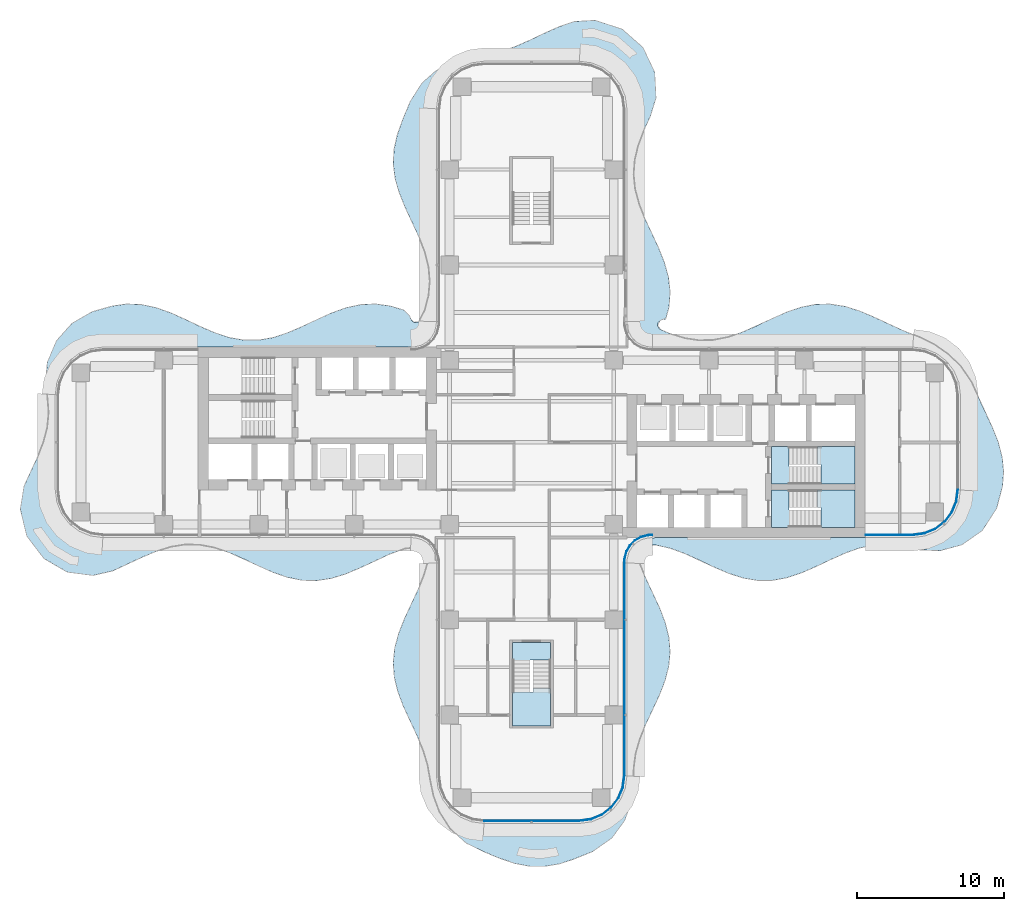
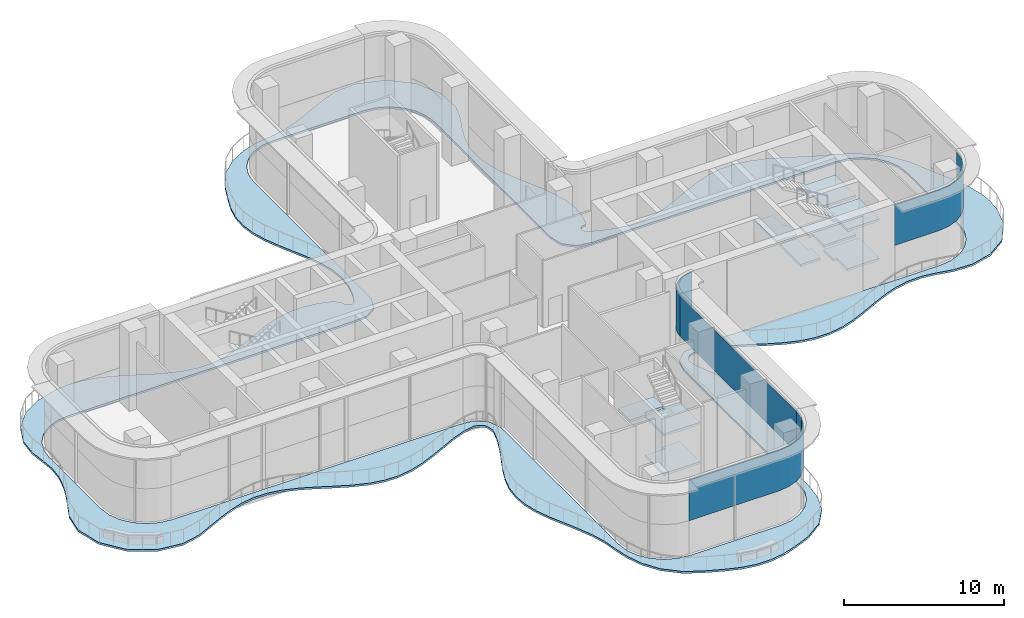
# One storey, part 9 of 19: 10 slabs, 4 plates, 7 elements without a shape of their own.
"""IFC4 building model written with IfcOpenShell, lengths in metres."""

from ifc_helpers import new_model, si_unit, direction, frame, origin, place, context, subcontext, project, spatial, polyline, outline, extrude, source, transform, mapped, material, layer, layer_set, type_object, element, aggregate, save


model = new_model("IFC4")

# Units and contexts
model_context = context("Model", 3, precision=1e-05, world=origin(), true_north=direction((0.0, 1.0)))
body_context = subcontext(model_context, "Body", "Model", "MODEL_VIEW")
ifc_project = project(units=[si_unit("LENGTHUNIT", "METRE"), si_unit("AREAUNIT", "SQUARE_METRE"), si_unit("VOLUMEUNIT", "CUBIC_METRE"), si_unit("PLANEANGLEUNIT", "RADIAN"), si_unit("MASSUNIT", "GRAM", prefix="KILO")], contexts=[model_context])

# Site, building, storey
site_placement = place(None, origin())
site = spatial("IfcSite", under=ifc_project, at=site_placement, CompositionType="ELEMENT")
building_placement = place(site_placement, origin())
building = spatial("IfcBuilding", under=site, at=building_placement, Name="Trellis Farm Tower", CompositionType="ELEMENT")
storey_placement = place(building_placement, frame((0.0, 0.0, 156.0)))
storey = spatial("IfcBuildingStorey", under=building, at=storey_placement, Name="L33", CompositionType="ELEMENT", Elevation=156.0)

# Slab
ifc_material_1 = material(Name="Concrete C40/50", Category="concrete")
ifc_layer_1 = layer(ifc_material_1, 0.14990234375)
ifc_layer_set_1 = layer_set([ifc_layer_1], Name="Balcony slab 150")
slab_type_1 = type_object("IfcSlabType", Name="Balcony slab 150", PredefinedType="FLOOR", material=ifc_layer_set_1)
slab_1_placement = place(storey_placement, frame((0.0, 0.0, -0.14990234375)))
element("IfcSlab", 1, at=slab_1_placement, inside=storey, type_object=slab_type_1, Name="Balcony slab", PredefinedType="FLOOR", context=body_context, shape_type="SweptSolid", body=[
    extrude(outline(polyline([(-22.674560546875, -6.981689453125), (-23.65869140625, -6.9697265625), (-23.67138671875, -6.970703125), (-24.6005859375, -7.120361328125), (-24.611083984375, -7.122802734375), (-25.64013671875, -7.44580078125), (-25.647216796875, -7.4482421875), (-26.63037109375, -7.8671875), (-26.632568359375, -7.8681640625), (-28.587646484375, -8.77587890625), (-28.617919921875, -8.7861328125), (-29.91650390625, -9.078125), (-29.94287109375, -9.081787109375), (-29.976806640625, -9.0830078125), (-30.0029296875, -9.08203125), (-31.622314453125, -8.867431640625), (-31.65087890625, -8.860595703125), (-31.687255859375, -8.848388671875), (-31.71435546875, -8.8359375), (-33.2646484375, -7.93310546875), (-33.2890625, -7.91552734375), (-33.318115234375, -7.8896484375), (-33.33837890625, -7.867431640625), (-34.43505859375, -6.39990234375), (-34.450927734375, -6.373291015625), (-34.468017578125, -6.3369140625), (-34.47802734375, -6.307373046875), (-34.87939453125, -4.567138671875), (-34.883056640625, -4.5380859375), (-34.88427734375, -4.50048828125), (-34.882080078125, -4.470703125), (-34.63330078125, -3.0078125), (-34.62158203125, -2.97021484375), (-33.7060546875, -0.989013671875), (-33.704345703125, -0.985107421875), (-33.3251953125, -0.022705078125), (-33.322509765625, -0.0146484375), (-33.059326171875, 0.9638671875), (-33.05712890625, 0.975830078125), (-32.95361328125, 2.0185546875), (-32.953369140625, 2.03173828125), (-33.029296875, 2.987548828125), (-33.029541015625, 2.989990234375), (-33.16064453125, 4.148681640625), (-33.160888671875, 4.1796875), (-33.040283203125, 5.450927734375), (-33.029296875, 5.4951171875), (-32.4384765625, 6.892578125), (-32.412109375, 6.93408203125), (-31.356201171875, 8.11767578125), (-31.318603515625, 8.148193359375), (-29.9736328125, 8.913818359375), (-29.940185546875, 8.927978515625), (-28.6396484375, 9.2958984375), (-28.619873046875, 9.30029296875), (-27.65087890625, 9.438232421875), (-27.623779296875, 9.439697265625), (-26.623291015625, 9.401611328125), (-26.59765625, 9.3984375), (-25.626953125, 9.19091796875), (-25.60791015625, 9.185302734375), (-24.630615234375, 8.83740234375), (-24.61962890625, 8.8330078125), (-23.63427734375, 8.391845703125), (-23.631103515625, 8.390380859375), (-22.63330078125, 7.916259765625), (-22.631103515625, 7.9150390625), (-21.62890625, 7.481201171875), (-21.62255859375, 7.478759765625), (-20.62451171875, 7.151611328125), (-20.6142578125, 7.14892578125), (-19.622802734375, 6.9755859375), (-19.609619140625, 6.974365234375), (-18.626220703125, 6.976318359375), (-18.61328125, 6.977294921875), (-17.634521484375, 7.1513671875), (-17.62451171875, 7.15380859375), (-16.644775390625, 7.47509765625), (-16.638427734375, 7.4775390625), (-15.66650390625, 7.897216796875), (-15.6640625, 7.898193359375), (-14.66259765625, 8.373779296875), (-14.65966796875, 8.375), (-13.664794921875, 8.822265625), (-13.654052734375, 8.82666015625), (-12.6669921875, 9.180419921875), (-12.648193359375, 9.185791015625), (-11.669921875, 9.397216796875), (-11.64453125, 9.400390625), (-10.673095703125, 9.441650390625), (-10.646484375, 9.4404296875), (-9.6767578125, 9.30810546875), (-9.65478515625, 9.303466796875), (-8.7470703125, 9.035888671875), (-8.7099609375, 9.019287109375), (-8.66650390625, 8.9921875), (-8.635498046875, 8.96630859375), (-8.33935546875, 8.642578125), (-8.3203125, 8.616455078125), (-8.29931640625, 8.580322265625), (-8.2861328125, 8.550537109375), (-8.245361328125, 8.421875), (-8.23779296875, 8.405517578125), (-8.165283203125, 8.286376953125), (-8.14013671875, 8.26171875), (-8.0283203125, 8.1943359375), (-7.994873046875, 8.183837890625), (-7.864501953125, 8.17578125), (-7.829833984375, 8.18212890625), (-7.710693359375, 8.2353515625), (-7.682861328125, 8.257080078125), (-7.59619140625, 8.366455078125), (-7.5869140625, 8.3818359375), (-7.306396484375, 8.995361328125), (-7.302001953125, 9.007568359375), (-7.045166015625, 9.9931640625), (-7.043212890625, 10.005126953125), (-6.953369140625, 10.9853515625), (-6.953369140625, 10.998779296875), (-7.040283203125, 11.986083984375), (-7.042236328125, 11.998046875), (-7.297119140625, 12.9931640625), (-7.2998046875, 13.001708984375), (-7.687255859375, 14.001708984375), (-7.689208984375, 14.00634765625), (-8.619384765625, 16.00048828125), (-8.622314453125, 16.007080078125), (-9.030029296875, 17.00634765625), (-9.035400390625, 17.021484375), (-9.311767578125, 17.9775390625), (-9.31640625, 18.0), (-9.442138671875, 18.969482421875), (-9.443359375, 18.996337890625), (-9.395263671875, 19.968017578125), (-9.391845703125, 19.992919921875), (-9.174560546875, 20.9716796875), (-9.1689453125, 20.990478515625), (-8.80615234375, 21.9892578125), (-8.803955078125, 21.994873046875), (-8.30908203125, 23.200927734375), (-8.29736328125, 23.223876953125), (-7.51171875, 24.473876953125), (-7.484130859375, 24.50634765625), (-6.52587890625, 25.354248046875), (-6.497802734375, 25.373779296875), (-5.392578125, 25.972412109375), (-5.365234375, 25.98388671875), (-4.230712890625, 26.331298828125), (-4.206787109375, 26.33642578125), (-3.13134765625, 26.479248046875), (-3.12744140625, 26.479736328125), (-2.10498046875, 26.67138671875), (-2.0947265625, 26.67431640625), (-1.115478515625, 27.0048828125), (-1.109619140625, 27.00732421875), (-0.1357421875, 27.43310546875), (-0.1337890625, 27.43408203125), (0.863525390625, 27.908203125), (0.866943359375, 27.909912109375), (1.8515625, 28.348388671875), (1.86376953125, 28.35302734375), (2.86572265625, 28.698486328125), (2.9052734375, 28.706298828125), (4.259765625, 28.791259765625), (4.28759765625, 28.790283203125), (4.3232421875, 28.785888671875), (4.3505859375, 28.77978515625), (6.1064453125, 28.21923828125), (6.134765625, 28.20703125), (6.16943359375, 28.1875), (6.194580078125, 28.16943359375), (7.566650390625, 26.96337890625), (7.587646484375, 26.940673828125), (7.611328125, 26.908935546875), (7.627197265625, 26.882568359375), (8.380126953125, 25.276611328125), (8.389892578125, 25.2490234375), (8.39892578125, 25.212646484375), (8.4033203125, 25.183837890625), (8.48583984375, 23.55517578125), (8.485107421875, 23.52880859375), (8.480712890625, 23.4951171875), (8.475341796875, 23.469482421875), (8.10546875, 22.268798828125), (8.098388671875, 22.25048828125), (7.63916015625, 21.24267578125), (7.63720703125, 21.238037109375), (7.26220703125, 20.238037109375), (7.259521484375, 20.2294921875), (7.031982421875, 19.2919921875), (7.030029296875, 19.280029296875), (6.95361328125, 18.29931640625), (6.953857421875, 18.285888671875), (7.05419921875, 17.2978515625), (7.056396484375, 17.285888671875), (7.33544921875, 16.253173828125), (7.338134765625, 16.244873046875), (7.7294921875, 15.26318359375), (7.731201171875, 15.25927734375), (8.6533203125, 13.284912109375), (8.656494140625, 13.27734375), (9.05078125, 12.296630859375), (9.05615234375, 12.28076171875), (9.3330078125, 11.28076171875), (9.33740234375, 11.25732421875), (9.44580078125, 10.283935546875), (9.4462890625, 10.2568359375), (9.37939453125, 9.287109375), (9.375, 9.260009765625), (9.17333984375, 8.478271484375), (9.12158203125, 8.3984375), (9.032470703125, 8.36572265625), (8.938720703125, 8.363037109375), (8.918701171875, 8.35986328125), (8.769287109375, 8.313720703125), (8.736083984375, 8.292236328125), (8.638427734375, 8.18310546875), (8.62109375, 8.14794921875), (8.59375, 8.004150390625), (8.596923828125, 7.965087890625), (8.6474609375, 7.82763671875), (8.67041015625, 7.795654296875), (8.79248046875, 7.69775390625), (8.809814453125, 7.687255859375), (9.3984375, 7.4345703125), (9.406005859375, 7.431884765625), (10.436279296875, 7.113525390625), (10.447021484375, 7.111083984375), (11.37548828125, 6.968017578125), (11.388427734375, 6.967041015625), (12.372802734375, 6.985595703125), (12.3857421875, 6.987060546875), (13.3779296875, 7.1796875), (13.387939453125, 7.1826171875), (14.386474609375, 7.524658203125), (14.392333984375, 7.527099609375), (15.394775390625, 7.969482421875), (15.396728515625, 7.970458984375), (16.3974609375, 8.4462890625), (16.4013671875, 8.447998046875), (17.381103515625, 8.87939453125), (17.393310546875, 8.884033203125), (18.392822265625, 9.22412109375), (18.41259765625, 9.2294921875), (19.360107421875, 9.41259765625), (19.385498046875, 9.415283203125), (20.35546875, 9.4345703125), (20.382080078125, 9.432861328125), (21.382568359375, 9.272705078125), (21.404296875, 9.267578125), (22.379150390625, 8.95849609375), (22.392578125, 8.95361328125), (23.3759765625, 8.534912109375), (23.38037109375, 8.53271484375), (25.357421875, 7.614990234375), (25.36181640625, 7.613037109375), (26.460205078125, 7.1865234375), (26.47265625, 7.18115234375), (27.489501953125, 6.676513671875), (27.50927734375, 6.664794921875), (28.423583984375, 6.0205078125), (28.441162109375, 6.006103515625), (29.259033203125, 5.222900390625), (29.279296875, 5.19921875), (29.989013671875, 4.1591796875), (30.002197265625, 4.1357421875), (30.5107421875, 3.0), (30.51123046875, 2.999267578125), (31.43701171875, 1.005615234375), (31.4404296875, 0.997314453125), (31.833251953125, -0.001708984375), (31.838623046875, -0.018310546875), (32.097900390625, -0.9990234375), (32.10205078125, -1.02294921875), (32.197265625, -1.99609375), (32.197509765625, -2.0224609375), (32.122314453125, -2.986572265625), (32.11767578125, -3.01318359375), (31.729736328125, -4.485107421875), (31.71044921875, -4.528564453125), (30.740966796875, -6.01611328125), (30.722412109375, -6.039306640625), (30.696044921875, -6.06591796875), (30.673583984375, -6.084716796875), (29.3505859375, -6.98828125), (29.3046875, -7.009521484375), (27.865478515625, -7.39208984375), (27.82080078125, -7.397216796875), (26.50732421875, -7.343017578125), (26.481689453125, -7.33984375), (25.384521484375, -7.1015625), (25.37890625, -7.1005859375), (24.40966796875, -6.962890625), (24.396240234375, -6.962158203125), (23.352294921875, -7.001708984375), (23.33935546875, -7.00341796875), (22.361083984375, -7.214111328125), (22.351806640625, -7.216796875), (21.397216796875, -7.55615234375), (21.3916015625, -7.558349609375), (20.388916015625, -8.006103515625), (20.38720703125, -8.0068359375), (19.38720703125, -8.482177734375), (19.382568359375, -8.484130859375), (18.404052734375, -8.909423828125), (18.3916015625, -8.914306640625), (17.41552734375, -9.23828125), (17.395263671875, -9.24365234375), (16.425048828125, -9.42041015625), (16.39892578125, -9.4228515625), (15.4287109375, -9.428955078125), (15.402587890625, -9.4267578125), (14.42626953125, -9.259521484375), (14.4052734375, -9.25439453125), (13.420654296875, -8.934814453125), (13.40771484375, -8.929931640625), (12.4150390625, -8.502197265625), (12.409912109375, -8.5), (11.416748046875, -8.028076171875), (11.415283203125, -8.027587890625), (10.430908203125, -7.58447265625), (10.425537109375, -7.582275390625), (9.44482421875, -7.227783203125), (9.435546875, -7.225341796875), (8.489990234375, -7.014404296875), (8.477783203125, -7.0126953125), (8.377197265625, -7.00732421875), (8.365234375, -7.007568359375), (7.80029296875, -7.068603515625), (7.784912109375, -7.07177734375), (7.668701171875, -7.110107421875), (7.641845703125, -7.12548828125), (7.551513671875, -7.2080078125), (7.541015625, -7.2197265625), (7.34130859375, -7.498046875), (7.333984375, -7.51123046875), (7.285888671875, -7.619384765625), (7.279296875, -7.648681640625), (7.27783203125, -7.76708984375), (7.279296875, -7.781982421875), (7.37451171875, -8.2744140625), (7.37890625, -8.288818359375), (7.796875, -9.2939453125), (7.798095703125, -9.296875), (8.72021484375, -11.273193359375), (8.72412109375, -11.28271484375), (9.1025390625, -12.261962890625), (9.10791015625, -12.27880859375), (9.356689453125, -13.2509765625), (9.361083984375, -13.275146484375), (9.447265625, -14.275634765625), (9.447265625, -14.302978515625), (9.354248046875, -15.272216796875), (9.35009765625, -15.2958984375), (9.09521484375, -16.268310546875), (9.08984375, -16.284912109375), (8.707275390625, -17.2646484375), (8.70361328125, -17.2734375), (7.78173828125, -19.248291015625), (7.780517578125, -19.25146484375), (7.378173828125, -20.23388671875), (7.37548828125, -20.2412109375), (7.09033203125, -21.22021484375), (7.088134765625, -21.231201171875), (6.95703125, -22.22509765625), (6.95654296875, -22.2333984375), (6.936279296875, -23.30810546875), (6.935546875, -23.322509765625), (6.801025390625, -24.49462890625), (6.793701171875, -24.526611328125), (6.36669921875, -25.75732421875), (6.346435546875, -25.79638671875), (5.498046875, -26.964111328125), (5.462890625, -26.998779296875), (4.16259765625, -27.911376953125), (4.1328125, -27.927490234375), (2.872314453125, -28.4404296875), (2.861572265625, -28.4443359375), (1.886474609375, -28.758056640625), (1.865478515625, -28.76318359375), (0.8955078125, -28.927490234375), (0.868896484375, -28.929443359375), (-0.131591796875, -28.919189453125), (-0.15771484375, -28.91650390625), (-1.1279296875, -28.7333984375), (-1.14794921875, -28.728271484375), (-2.1240234375, -28.399658203125), (-2.133056640625, -28.396240234375), (-3.182861328125, -27.966796875), (-3.192138671875, -27.962646484375), (-4.465087890625, -27.338134765625), (-4.499267578125, -27.31494140625), (-5.5625, -26.35791015625), (-5.589111328125, -26.32666015625), (-6.29052734375, -25.218017578125), (-6.304443359375, -25.189697265625), (-6.694580078125, -24.1318359375), (-6.70068359375, -24.110595703125), (-6.924560546875, -23.043212890625), (-6.925537109375, -23.0380859375), (-7.102294921875, -22.01513671875), (-7.1044921875, -22.00634765625), (-7.4052734375, -21.0126953125), (-7.40771484375, -21.005615234375), (-7.832275390625, -19.98974609375), (-7.83349609375, -19.98681640625), (-8.752685546875, -18.01220703125), (-8.757080078125, -18.001953125), (-9.127197265625, -17.0234375), (-9.132568359375, -17.005859375), (-9.3701171875, -16.033935546875), (-9.373779296875, -16.009521484375), (-9.447021484375, -15.040283203125), (-9.446533203125, -15.01318359375), (-9.33984375, -14.0126953125), (-9.335205078125, -13.989013671875), (-9.0693359375, -13.01611328125), (-9.06396484375, -13.000244140625), (-8.673583984375, -12.02001953125), (-8.670166015625, -12.011962890625), (-7.740234375, -10.01953125), (-7.738525390625, -10.015869140625), (-7.350341796875, -9.049560546875), (-7.347900390625, -9.04248046875), (-7.101318359375, -8.197998046875), (-7.098388671875, -8.1796875), (-7.093017578125, -8.026611328125), (-7.094482421875, -8.00830078125), (-7.189697265625, -7.569091796875), (-7.19482421875, -7.5537109375), (-7.248779296875, -7.43701171875), (-7.2685546875, -7.411376953125), (-7.3671875, -7.3291015625), (-7.381103515625, -7.320068359375), (-7.722900390625, -7.144287109375), (-7.74658203125, -7.136962890625), (-7.951416015625, -7.10888671875), (-7.9765625, -7.109619140625), (-8.649169921875, -7.2470703125), (-8.66015625, -7.250244140625), (-9.686767578125, -7.630126953125), (-9.6923828125, -7.63232421875), (-11.666259765625, -8.55029296875), (-11.67138671875, -8.552490234375), (-12.67041015625, -8.973876953125), (-12.684326171875, -8.97900390625), (-13.66796875, -9.28271484375), (-13.689697265625, -9.28759765625), (-14.6650390625, -9.435546875), (-14.691650390625, -9.43701171875), (-15.66162109375, -9.410888671875), (-15.68701171875, -9.407958984375), (-16.65771484375, -9.212646484375), (-16.67724609375, -9.207275390625), (-17.654052734375, -8.86865234375), (-17.665771484375, -8.864013671875), (-18.650390625, -8.427978515625), (-18.654052734375, -8.42626953125), (-19.650634765625, -7.952392578125), (-19.652587890625, -7.951416015625), (-20.627197265625, -7.5224609375), (-20.63330078125, -7.52001953125), (-21.659423828125, -7.172119140625), (-21.669677734375, -7.169189453125), (-22.66162109375, -6.98291015625), (-22.674560546875, -6.981689453125)]), holes=[polyline([(-6.51513671875, 8.0517578125), (-6.52197265625, 8.01708984375), (-6.529541015625, 7.9912109375), (-6.84375, 7.191650390625), (-6.8671875, 7.151611328125), (-6.903564453125, 7.107177734375), (-6.938232421875, 7.076171875), (-7.642578125, 6.6201171875), (-7.67529296875, 6.604248046875), (-7.718994140625, 6.589111328125), (-7.7548828125, 6.58154296875), (-8.682373046875, 6.50048828125), (-29.25, 6.50048828125), (-30.09130859375, 6.389892578125), (-30.875244140625, 6.065185546875), (-31.548583984375, 5.548583984375), (-32.065185546875, 4.875244140625), (-32.389892578125, 4.09130859375), (-32.50048828125, 3.25), (-32.50048828125, -3.25), (-32.389892578125, -4.09130859375), (-32.065185546875, -4.875244140625), (-31.548583984375, -5.548583984375), (-30.875244140625, -6.065185546875), (-30.09130859375, -6.389892578125), (-29.25, -6.50048828125), (-8.682373046875, -6.50048828125), (-7.7548828125, -6.58154296875), (-7.718994140625, -6.589111328125), (-7.67529296875, -6.604248046875), (-7.642578125, -6.6201171875), (-6.938232421875, -7.076171875), (-6.903564453125, -7.107177734375), (-6.8671875, -7.151611328125), (-6.84375, -7.191650390625), (-6.529541015625, -7.9912109375), (-6.52197265625, -8.01708984375), (-6.51513671875, -8.0517578125), (-6.512451171875, -8.07861328125), (-6.50048828125, -8.98486328125), (-6.50048828125, -22.75), (-6.389892578125, -23.59130859375), (-6.065185546875, -24.375244140625), (-5.548583984375, -25.048583984375), (-4.875244140625, -25.565185546875), (-4.09130859375, -25.889892578125), (-3.25, -26.00048828125), (3.25, -26.00048828125), (4.09130859375, -25.889892578125), (4.875244140625, -25.565185546875), (5.548583984375, -25.048583984375), (6.065185546875, -24.375244140625), (6.389892578125, -23.59130859375), (6.50048828125, -22.75), (6.50048828125, -8.326416015625), (6.504150390625, -8.29638671875), (6.718017578125, -7.40869140625), (6.734375, -7.367919921875), (6.761474609375, -7.32177734375), (6.78857421875, -7.2880859375), (7.39697265625, -6.719970703125), (7.432373046875, -6.6953125), (7.48046875, -6.67138671875), (7.521728515625, -6.657958984375), (8.4248046875, -6.502197265625), (8.443115234375, -6.50048828125), (26.0, -6.50048828125), (26.84130859375, -6.389892578125), (27.625244140625, -6.065185546875), (28.298583984375, -5.548583984375), (28.815185546875, -4.875244140625), (29.139892578125, -4.09130859375), (29.25048828125, -3.25), (29.25048828125, 3.25), (29.139892578125, 4.09130859375), (28.815185546875, 4.875244140625), (28.298583984375, 5.548583984375), (27.625244140625, 6.065185546875), (26.84130859375, 6.389892578125), (26.0, 6.50048828125), (8.443115234375, 6.50048828125), (8.4248046875, 6.502197265625), (7.521728515625, 6.657958984375), (7.48046875, 6.67138671875), (7.432373046875, 6.6953125), (7.39697265625, 6.719970703125), (6.78857421875, 7.2880859375), (6.761474609375, 7.32177734375), (6.734375, 7.367919921875), (6.718017578125, 7.40869140625), (6.504150390625, 8.29638671875), (6.50048828125, 8.326416015625), (6.50048828125, 22.75), (6.389892578125, 23.59130859375), (6.065185546875, 24.375244140625), (5.548583984375, 25.048583984375), (4.875244140625, 25.565185546875), (4.09130859375, 25.889892578125), (3.25, 26.00048828125), (-3.25, 26.00048828125), (-4.09130859375, 25.889892578125), (-4.875244140625, 25.565185546875), (-5.548583984375, 25.048583984375), (-6.065185546875, 24.375244140625), (-6.389892578125, 23.59130859375), (-6.50048828125, 22.75), (-6.50048828125, 8.98486328125), (-6.512451171875, 8.07861328125), (-6.51513671875, 8.0517578125)])]), origin(), (0.0, 0.0, 1.0), 0.14990234375),
])

# Curtain wall, plate
ifc_material_2 = material(Name="Aluminium and glass curtain wall", Category="aluminium")
ifc_layer_2 = layer(ifc_material_2, 0.196044921875)
ifc_layer_set_2 = layer_set([ifc_layer_2], Name="LOUVRED GLASS CURTAIN WALL CW6")
curtain_wall_type = type_object("IfcCurtainWallType", Name="LOUVRED GLASS CURTAIN WALL CW6", PredefinedType="NOTDEFINED", material=ifc_layer_set_2)
placement_1 = place(storey_placement, origin())
curtain_wall_1 = element("IfcCurtainWall", 2, at=placement_1, inside=storey, type_object=curtain_wall_type, Name="CW6 004", PredefinedType="NOTDEFINED")
ifc_material_3 = material(Name="Clear insulated glass", Category="glass")
ifc_layer_3 = layer(ifc_material_3, 0.035888671875)
ifc_layer_set_3 = layer_set([ifc_layer_3], Name="CW6 GLASS PANEL 36")
plate_type = type_object("IfcPlateType", Name="CW6 GLASS PANEL 36", PredefinedType="CURTAIN_PANEL", material=ifc_layer_set_3)
placement_2 = place(storey_placement, frame((0.0, 0.0, 2.52001953125)))
plate_1 = element("IfcPlate", 3, at=placement_2, type_object=plate_type, Name="PL6 004", PredefinedType="CURTAIN_PANEL", context=body_context, shape_type="SweptSolid", body=[
    extrude(outline(polyline([(-3.239501953125, -25.840087890625), (3.239501953125, -25.840087890625), (4.04931640625, -25.7333984375), (4.794189453125, -25.4248046875), (5.43408203125, -24.93408203125), (5.9248046875, -24.294189453125), (6.2333984375, -23.54931640625), (6.340087890625, -22.739501953125), (6.303955078125, -22.737060546875), (6.1982421875, -23.5400390625), (5.893310546875, -24.276123046875), (5.408203125, -24.908203125), (4.776123046875, -25.393310546875), (4.0400390625, -25.6982421875), (3.237060546875, -25.803955078125), (-3.237060546875, -25.803955078125), (-3.239501953125, -25.840087890625)])), origin(), (0.0, 0.0, 1.0), 3.080078125),
])
aggregate(curtain_wall_1, [plate_1])

curtain_wall_2 = element("IfcCurtainWall", 4, at=placement_1, inside=storey, type_object=curtain_wall_type, Name="CW6 005", PredefinedType="NOTDEFINED")
plate_2 = element("IfcPlate", 5, at=placement_2, type_object=plate_type, Name="PL6 005", PredefinedType="CURTAIN_PANEL", context=body_context, shape_type="SweptSolid", body=[
    extrude(outline(polyline([(6.340087890625, -22.739501953125), (6.340087890625, -8.22607421875), (6.303955078125, -8.22509765625), (6.303955078125, -22.737060546875), (6.340087890625, -22.739501953125)])), origin(), (0.0, 0.0, 1.0), 3.080078125),
])
aggregate(curtain_wall_2, [plate_2])

curtain_wall_3 = element("IfcCurtainWall", 6, at=placement_1, inside=storey, type_object=curtain_wall_type, Name="CW6 006", PredefinedType="NOTDEFINED")
plate_3 = element("IfcPlate", 7, at=placement_2, type_object=plate_type, Name="PL6 006", PredefinedType="CURTAIN_PANEL", context=body_context, shape_type="SweptSolid", body=[
    extrude(outline(polyline([(6.340087890625, -8.22607421875), (6.3544921875, -8.00390625), (6.370361328125, -7.88427734375), (6.487548828125, -7.44677734375), (6.718994140625, -7.046142578125), (7.046142578125, -6.718994140625), (7.44677734375, -6.487548828125), (7.88427734375, -6.370361328125), (8.00390625, -6.3544921875), (8.22607421875, -6.340087890625), (8.22509765625, -6.303955078125), (8.000244140625, -6.31884765625), (7.877197265625, -6.3349609375), (7.432861328125, -6.4541015625), (7.02392578125, -6.690185546875), (6.690185546875, -7.02392578125), (6.4541015625, -7.432861328125), (6.3349609375, -7.877197265625), (6.31884765625, -8.000244140625), (6.303955078125, -8.22509765625), (6.340087890625, -8.22607421875)])), origin(), (0.0, 0.0, 1.0), 3.080078125),
])
aggregate(curtain_wall_3, [plate_3])

curtain_wall_4 = element("IfcCurtainWall", 8, at=placement_1, inside=storey, type_object=curtain_wall_type, Name="CW6 007", PredefinedType="NOTDEFINED")
plate_4 = element("IfcPlate", 9, at=placement_2, type_object=plate_type, Name="PL6 007", PredefinedType="CURTAIN_PANEL", context=body_context, shape_type="SweptSolid", body=[
    extrude(outline(polyline([(22.780029296875, -6.340087890625), (25.989501953125, -6.340087890625), (26.79931640625, -6.2333984375), (27.544189453125, -5.9248046875), (28.18408203125, -5.43408203125), (28.6748046875, -4.794189453125), (28.9833984375, -4.04931640625), (29.090087890625, -3.239501953125), (29.053955078125, -3.237060546875), (28.9482421875, -4.0400390625), (28.643310546875, -4.776123046875), (28.158203125, -5.408203125), (27.526123046875, -5.893310546875), (26.7900390625, -6.1982421875), (25.987060546875, -6.303955078125), (22.780029296875, -6.303955078125), (22.780029296875, -6.340087890625)])), origin(), (0.0, 0.0, 1.0), 3.080078125),
])
aggregate(curtain_wall_4, [plate_4])

# Stair, slabs
ifc_material_4 = material(Name="Concrete C50/60", Category="concrete")
stair_type = type_object("IfcStairType", Name="CORE EXIT STAIR 36 RISERS 167 MM", PredefinedType="HALF_TURN_STAIR", material=ifc_material_4)
stair_1 = element("IfcStair", 10, at=placement_1, inside=storey, type_object=stair_type, Name="Exit stair S", PredefinedType="HALF_TURN_STAIR")
ifc_layer_4 = layer(ifc_material_4, 0.179931640625)
ifc_layer_set_4 = layer_set([ifc_layer_4], Name="CORE STAIR LANDING 180 CONCRETE C50/60")
slab_type_2 = type_object("IfcSlabType", Name="CORE STAIR LANDING 180 CONCRETE C50/60", PredefinedType="LANDING", material=ifc_layer_set_4)
shared_shape_1 = source(origin(), body_context, "Body", "SweptSolid", [
    extrude(outline(polyline([(1.300048828125, -19.35009765625), (-1.300048828125, -19.35009765625), (-1.300048828125, -17.050048828125), (-1.300048828125, -17.0400390625), (-0.10009765625, -17.0400390625), (-0.10009765625, -17.050048828125), (0.10009765625, -17.050048828125), (0.10009765625, -16.79052734375), (1.300048828125, -16.79052734375), (1.300048828125, -17.050048828125), (1.300048828125, -19.35009765625)])), origin(), (0.0, 0.0, 1.0), 0.179931640625),
])
placement_3 = place(storey_placement, frame((0.0, 0.0, 1.320068359375)))
slab_2 = element("IfcSlab", 11, at=placement_3, type_object=slab_type_2, Name="STS landing 1", PredefinedType="LANDING", context=body_context, shape_type="MappedRepresentation", body=[
    mapped(shared_shape_1, transform((0.0, 0.0, 0.0))),
])
placement_4 = place(storey_placement, frame((0.0, 0.0, 4.320068359375)))
slab_3 = element("IfcSlab", 12, at=placement_4, type_object=slab_type_2, Name="STS landing 3", PredefinedType="LANDING", context=body_context, shape_type="MappedRepresentation", body=[
    mapped(shared_shape_1, transform((0.0, 0.0, 0.0))),
])
shared_shape_2 = source(origin(), body_context, "Body", "SweptSolid", [
    extrude(outline(polyline([(-0.10009765625, -15.109375), (-1.300048828125, -15.109375), (-1.300048828125, -14.85009765625), (-1.300048828125, -13.64990234375), (1.300048828125, -13.64990234375), (1.300048828125, -14.85009765625), (1.300048828125, -14.860107421875), (0.10009765625, -14.860107421875), (0.10009765625, -14.85009765625), (-0.10009765625, -14.85009765625), (-0.10009765625, -15.109375)])), origin(), (0.0, 0.0, 1.0), 0.179931640625),
])
placement_5 = place(storey_placement, frame((0.0, 0.0, 2.820068359375)))
slab_4 = element("IfcSlab", 13, at=placement_5, type_object=slab_type_2, Name="STS landing 2", PredefinedType="LANDING", context=body_context, shape_type="MappedRepresentation", body=[
    mapped(shared_shape_2, transform((0.0, 0.0, 0.0))),
])
aggregate(stair_1, [slab_2, slab_4, slab_3])

stair_2 = element("IfcStair", 14, at=placement_1, inside=storey, type_object=stair_type, Name="Exit stair E1", PredefinedType="HALF_TURN_STAIR")
shared_shape_3 = source(origin(), body_context, "Body", "SweptSolid", [
    extrude(outline(polyline([(19.739990234375, -5.800048828125), (19.739990234375, -4.60009765625), (19.75, -4.60009765625), (19.75, -4.449951171875), (19.49072265625, -4.449951171875), (19.49072265625, -3.25), (19.75, -3.25), (22.050048828125, -3.25), (22.050048828125, -5.800048828125), (19.75, -5.800048828125), (19.739990234375, -5.800048828125)])), origin(), (0.0, 0.0, 1.0), 0.179931640625),
])
slab_5 = element("IfcSlab", 15, at=placement_3, type_object=slab_type_2, Name="STE1 landing 1", PredefinedType="LANDING", context=body_context, shape_type="MappedRepresentation", body=[
    mapped(shared_shape_3, transform((0.0, 0.0, 0.0))),
])
slab_6 = element("IfcSlab", 16, at=placement_4, type_object=slab_type_2, Name="STE1 landing 3", PredefinedType="LANDING", context=body_context, shape_type="MappedRepresentation", body=[
    mapped(shared_shape_3, transform((0.0, 0.0, 0.0))),
])
shared_shape_4 = source(origin(), body_context, "Body", "SweptSolid", [
    extrude(outline(polyline([(17.809326171875, -4.60009765625), (17.809326171875, -5.800048828125), (17.550048828125, -5.800048828125), (16.35009765625, -5.800048828125), (16.35009765625, -3.25), (17.550048828125, -3.25), (17.56005859375, -3.25), (17.56005859375, -4.449951171875), (17.550048828125, -4.449951171875), (17.550048828125, -4.60009765625), (17.809326171875, -4.60009765625)])), origin(), (0.0, 0.0, 1.0), 0.179931640625),
])
slab_7 = element("IfcSlab", 17, at=placement_5, type_object=slab_type_2, Name="STE1 landing 2", PredefinedType="LANDING", context=body_context, shape_type="MappedRepresentation", body=[
    mapped(shared_shape_4, transform((0.0, 0.0, 0.0))),
])
aggregate(stair_2, [slab_5, slab_7, slab_6])

stair_3 = element("IfcStair", 18, at=placement_1, inside=storey, type_object=stair_type, Name="Exit stair E2", PredefinedType="HALF_TURN_STAIR")
shared_shape_5 = source(origin(), body_context, "Body", "SweptSolid", [
    extrude(outline(polyline([(19.739990234375, -2.85009765625), (19.739990234375, -1.64990234375), (19.75, -1.64990234375), (19.75, -1.5), (19.49072265625, -1.5), (19.49072265625, -0.300048828125), (19.75, -0.300048828125), (22.050048828125, -0.300048828125), (22.050048828125, -2.85009765625), (19.75, -2.85009765625), (19.739990234375, -2.85009765625)])), origin(), (0.0, 0.0, 1.0), 0.179931640625),
])
slab_8 = element("IfcSlab", 19, at=placement_3, type_object=slab_type_2, Name="STE2 landing 1", PredefinedType="LANDING", context=body_context, shape_type="MappedRepresentation", body=[
    mapped(shared_shape_5, transform((0.0, 0.0, 0.0))),
])
slab_9 = element("IfcSlab", 20, at=placement_4, type_object=slab_type_2, Name="STE2 landing 3", PredefinedType="LANDING", context=body_context, shape_type="MappedRepresentation", body=[
    mapped(shared_shape_5, transform((0.0, 0.0, 0.0))),
])
shared_shape_6 = source(origin(), body_context, "Body", "SweptSolid", [
    extrude(outline(polyline([(17.809326171875, -1.64990234375), (17.809326171875, -2.85009765625), (17.550048828125, -2.85009765625), (16.35009765625, -2.85009765625), (16.35009765625, -0.300048828125), (17.550048828125, -0.300048828125), (17.56005859375, -0.300048828125), (17.56005859375, -1.5), (17.550048828125, -1.5), (17.550048828125, -1.64990234375), (17.809326171875, -1.64990234375)])), origin(), (0.0, 0.0, 1.0), 0.179931640625),
])
slab_10 = element("IfcSlab", 21, at=placement_5, type_object=slab_type_2, Name="STE2 landing 2", PredefinedType="LANDING", context=body_context, shape_type="MappedRepresentation", body=[
    mapped(shared_shape_6, transform((0.0, 0.0, 0.0))),
])
aggregate(stair_3, [slab_8, slab_10, slab_9])

save(model, "model.ifc")
